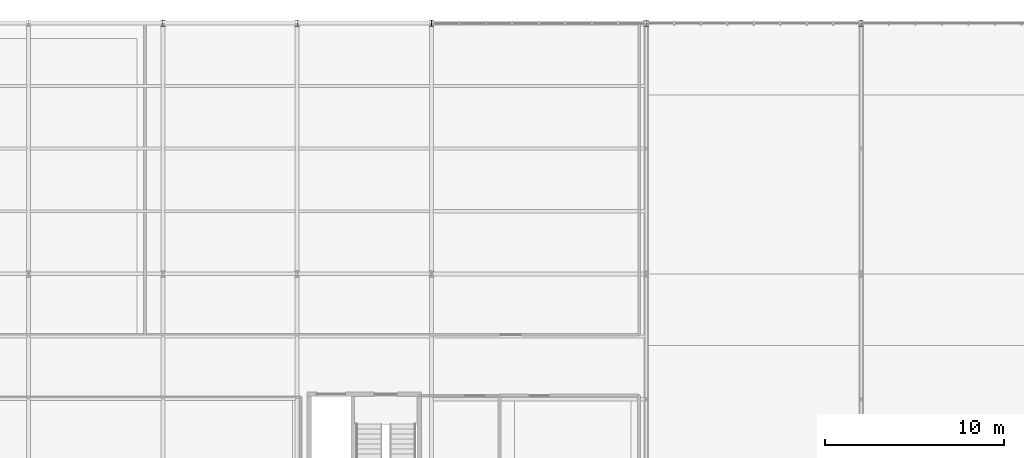
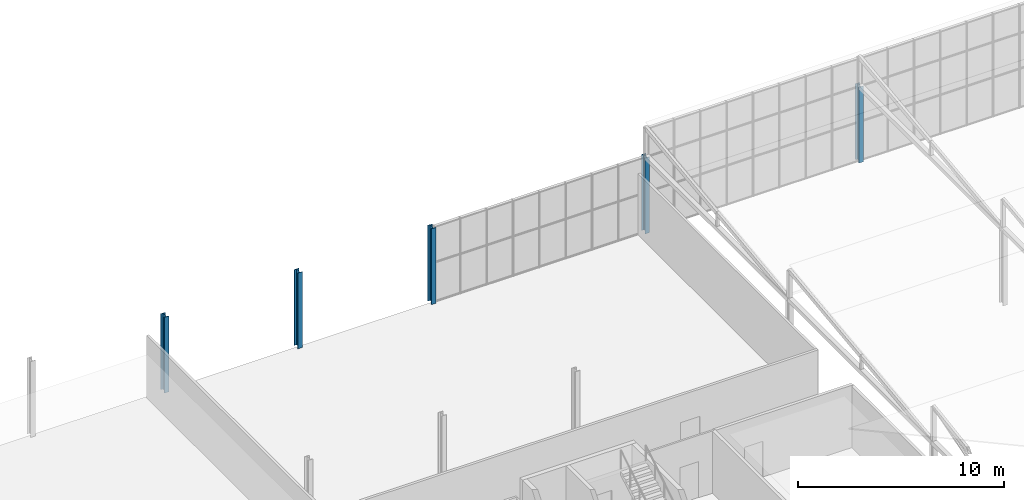
# One storey, part 8 of 104: 5 columns.
"""IFC4 building model written with IfcOpenShell, lengths in metres."""

from ifc_helpers import new_model, si_unit, direction, frame, origin, origin_2d, place, context, subcontext, project, spatial, i_section, extrude, material, material_profile, profile_set, type_object, element, save


model = new_model("IFC4")

# Units and contexts
model_context = context("Model", 3, precision=1e-05, world=origin(), true_north=direction((0.0, 1.0)))
body_context = subcontext(model_context, "Body", "Model", "MODEL_VIEW")
ifc_project = project(units=[si_unit("LENGTHUNIT", "METRE"), si_unit("AREAUNIT", "SQUARE_METRE"), si_unit("VOLUMEUNIT", "CUBIC_METRE"), si_unit("PLANEANGLEUNIT", "RADIAN"), si_unit("MASSUNIT", "GRAM", prefix="KILO")], contexts=[model_context])

# Site, building, storey
site_placement = place(None, origin())
site = spatial("IfcSite", under=ifc_project, at=site_placement, CompositionType="ELEMENT")
building_placement = place(site_placement, origin())
building = spatial("IfcBuilding", under=site, at=building_placement, Name="Solvenia Promenade Tram Depot", CompositionType="ELEMENT")
storey_placement = place(building_placement, frame((0.0, 0.0, 9.0)))
storey = spatial("IfcBuildingStorey", under=building, at=storey_placement, Name="L02", CompositionType="ELEMENT", Elevation=9.0)

# Columns
ifc_material = material(Name="Structural steel ASTM A992 Gr. 50", Category="steel")
ifc_material_profile = material_profile(ifc_material, i_section(OverallWidth=0.257080078125, OverallDepth=0.363037109375, WebThickness=0.012939453125, FlangeThickness=0.021728515625, FilletRadius=0.014892578125, at=origin_2d()), Name="W360x122", Category="steel")
ifc_profile_set = profile_set([ifc_material_profile], Name="Structural steel ASTM A992 Gr. 50")
column_type = type_object("IfcColumnType", Name="Col-W360x122", PredefinedType="COLUMN", material=ifc_profile_set)
for number, where, z_axis, x_axis, name in (
    (1, (135.0, 66.0, 0.0), (0.0, 0.0, 1.0), (1.0, 0.0, 0.0), "Steel Column COL-L02-277"),
    (2, (142.5, 66.0, 0.0), (0.0, 0.0, 1.0), (1.0, 0.0, 0.0), "Steel Column COL-L02-298"),
    (3, (150.0, 66.0, 0.0), (0.0, 0.0, 1.0), (1.0, 0.0, 0.0), "Steel Column COL-L02-319"),
    (4, (162.0, 66.0, 0.0), (0.0, 0.0, 1.0), (1.0, 0.0, 0.0), "Steel Column COL-L02-340"),
    (5, (174.0, 66.0, 0.0), (0.0, 0.0, 1.0), (1.0, 0.0, 0.0), "Steel Column COL-L02-356"),
):
    element("IfcColumn", number, at=place(storey_placement, frame(where, z_axis=z_axis, x_axis=x_axis)), inside=storey, type_object=column_type, Name=name, PredefinedType="COLUMN", context=body_context, shape_type="SweptSolid", body=[
        extrude(i_section(OverallWidth=0.257080078125, OverallDepth=0.363037109375, WebThickness=0.012939453125, FlangeThickness=0.021728515625, FilletRadius=0.014892578125, at=origin_2d()), origin(), (0.0, 0.0, 1.0), 4.5),
    ])

save(model, "model.ifc")
